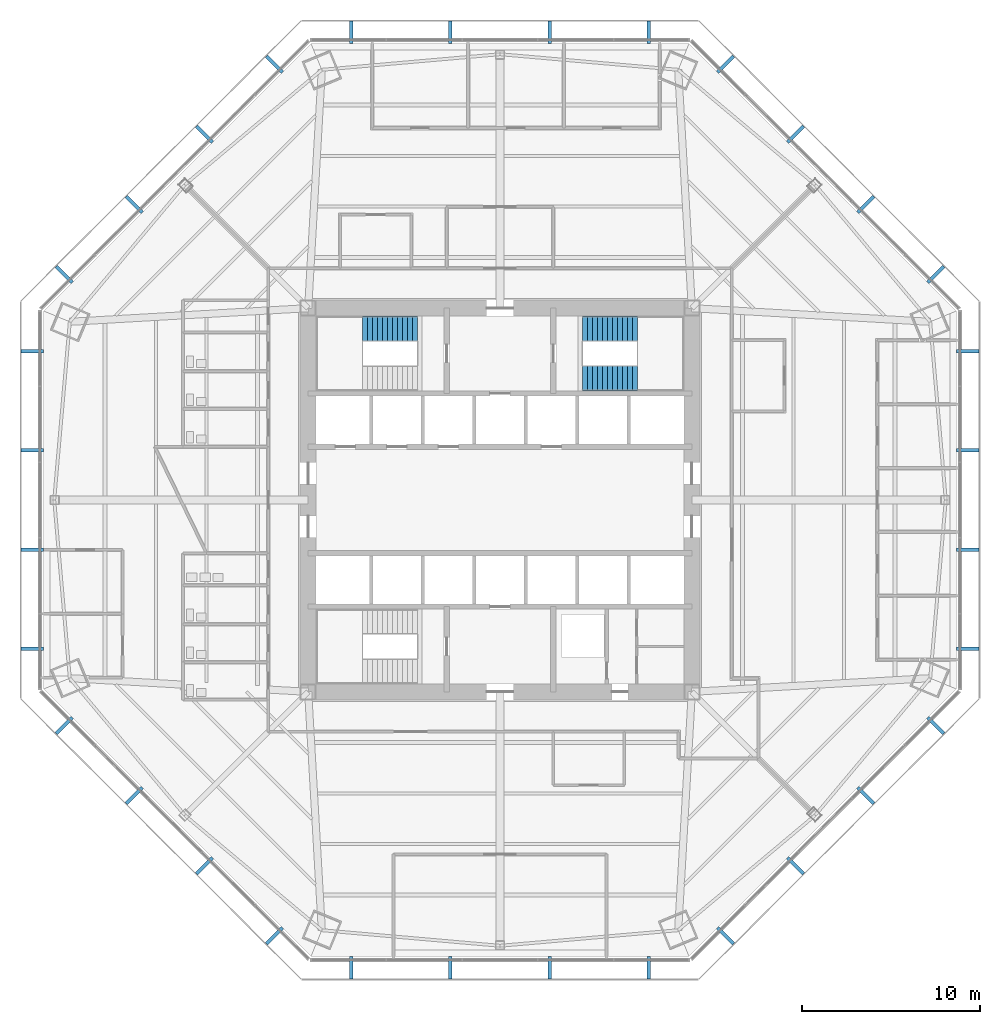
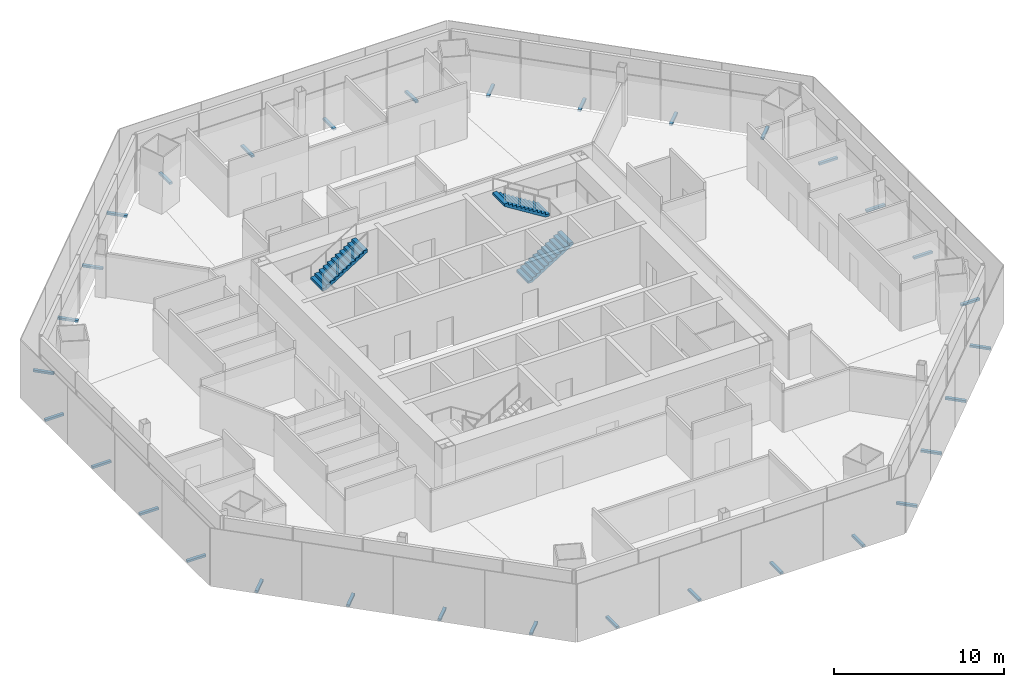
# One storey, part 12 of 15: 32 discrete accessories, 3 stair flights, 2 elements without a shape of their own.
"""IFC4 building model written with IfcOpenShell, lengths in metres."""

import ifcopenshell
import ifcopenshell.guid

model = None  # the IFC model being written
_history = None  # IfcOwnerHistory: only IFC2X3 demands one
_inside = {}  # id of a spatial element -> (the spatial element, [elements in it])
_under = {}  # id of a project, library or spatial element -> (it, [spatial elements below it])
_declared = {}  # id of a project -> (the project, [libraries it declares])
_typed = {}  # id of a type object -> (the type object, [elements of that type])
_made_of = {}  # id of a material, layer set ... -> (it, [elements and type objects made of it])


def new_model(schema):
    """Start an empty IFC model of exactly this schema.

    Asked for "IFC4X3", IfcOpenShell would pick the latest addendum, in which some entities
    have other attributes; the version numbers below select the first issue.
    IFC2X3 requires an IfcOwnerHistory on every rooted entity: one is made here for all.
    """
    global model, _history
    if schema == "IFC4X3":
        model = ifcopenshell.file(schema_version=(4, 3, 0, 0))
    else:
        model = ifcopenshell.file(schema=schema)
    _inside.clear()
    _under.clear()
    _declared.clear()
    _typed.clear()
    _made_of.clear()
    _history = None
    if model.schema == "IFC2X3":
        org = make("IfcOrganization", Name="unknown")
        user = make(
            "IfcPersonAndOrganization",
            ThePerson=make("IfcPerson", FamilyName="unknown"),
            TheOrganization=org,
        )
        app = make(
            "IfcApplication",
            ApplicationDeveloper=org,
            Version="unknown",
            ApplicationFullName="unknown",
            ApplicationIdentifier="unknown",
        )
        _history = make(
            "IfcOwnerHistory",
            OwningUser=user,
            OwningApplication=app,
            ChangeAction="ADDED",
            CreationDate=0,
        )
    return model


def make(cls, **values):
    """One entity of the class cls with the attributes given. An attribute that is None is left unset."""
    return model.create_entity(
        cls, **{name: value for name, value in values.items() if value is not None}
    )


def rooted(cls, **values):
    """An entity with a GlobalId (a new one), such as an element, a storey or a relation."""
    return make(cls, GlobalId=ifcopenshell.guid.new(), OwnerHistory=_history, **values)


def si_unit(unit_type, name, prefix=None):
    """IfcSIUnit, for example si_unit("LENGTHUNIT", "METRE", prefix="MILLI")."""
    return make("IfcSIUnit", UnitType=unit_type, Prefix=prefix, Name=name)


def assignment(units):
    """IfcUnitAssignment: the units of a project."""
    return None if units is None else make("IfcUnitAssignment", Units=units)


def point(xyz):
    """IfcCartesianPoint."""
    return None if xyz is None else make("IfcCartesianPoint", Coordinates=xyz)


def direction(xyz):
    """IfcDirection."""
    return None if xyz is None else make("IfcDirection", DirectionRatios=xyz)


def frame(location, z_axis=None, x_axis=None):
    """IfcAxis2Placement3D, a coordinate frame: its origin and axes. An axis left out is left unset."""
    return make(
        "IfcAxis2Placement3D",
        Location=point(location),
        Axis=direction(z_axis),
        RefDirection=direction(x_axis),
    )


def frame_2d(location, x_axis=None):
    """IfcAxis2Placement2D, a coordinate frame in the plane: its origin and x axis."""
    return make(
        "IfcAxis2Placement2D", Location=point(location), RefDirection=direction(x_axis)
    )


def origin():
    """The frame at (0, 0, 0) with its axes left unset."""
    return frame((0.0, 0.0, 0.0))


def origin_2d():
    """The frame at (0, 0) in the plane with its x axis left unset."""
    return frame_2d((0.0, 0.0))


def place(relative_to, where):
    """IfcLocalPlacement: puts the frame where relative to a parent placement (None: the world)."""
    return make(
        "IfcLocalPlacement", PlacementRelTo=relative_to, RelativePlacement=where
    )


def context(
    kind, dimensions, precision=None, world=None, true_north=None, identifier=None
):
    """IfcGeometricRepresentationContext, for example the 3D "Model" context."""
    return make(
        "IfcGeometricRepresentationContext",
        ContextIdentifier=identifier,
        ContextType=kind,
        CoordinateSpaceDimension=dimensions,
        Precision=precision,
        WorldCoordinateSystem=world,
        TrueNorth=true_north,
    )


def subcontext(parent, identifier, kind, view, scale=None):
    """IfcGeometricRepresentationSubContext, for example "Body" below "Model"."""
    return make(
        "IfcGeometricRepresentationSubContext",
        ContextIdentifier=identifier,
        ContextType=kind,
        ParentContext=parent,
        TargetScale=scale,
        TargetView=view,
    )


def project(units=None, contexts=None):
    """IfcProject with its units and contexts."""
    return rooted(
        "IfcProject",
        Name="project",
        RepresentationContexts=contexts,
        UnitsInContext=assignment(units),
    )


def spatial(cls, under=None, at=None, **own):
    """A site, building, storey or space (cls), placed at a placement, below another one or the project."""
    s = rooted(cls, ObjectPlacement=at, **own)
    if under is not None:
        _under.setdefault(under.id(), (under, []))[1].append(s)
    return s


def polyline(points):
    """IfcPolyline through the points."""
    return make("IfcPolyline", Points=[point(p) for p in points])


def profile(cls, at=None, kind="AREA", **sizes):
    """A parametric profile (cls). Its sizes go by their IFC names, for example OverallWidth=200.0."""
    return make(cls, ProfileType=kind, Position=at, **sizes)


def rectangle(**sizes):
    """IfcRectangleProfileDef."""
    return profile("IfcRectangleProfileDef", **sizes)


def outline(outer, holes=None, kind="AREA"):
    """IfcArbitraryClosedProfileDef: a profile drawn as a closed curve; with holes, ...WithVoids."""
    if holes is None:
        return make("IfcArbitraryClosedProfileDef", ProfileType=kind, OuterCurve=outer)
    return make(
        "IfcArbitraryProfileDefWithVoids",
        ProfileType=kind,
        OuterCurve=outer,
        InnerCurves=holes,
    )


def extrude(swept, where, along, depth):
    """IfcExtrudedAreaSolid: the profile swept, set in the frame where, extruded along a direction by depth."""
    return make(
        "IfcExtrudedAreaSolid",
        SweptArea=swept,
        Position=where,
        ExtrudedDirection=direction(along),
        Depth=depth,
    )


def shape(context_of_items, identifier, shape_type, items):
    """IfcShapeRepresentation: the items that make up one representation, for example the "Body"."""
    return make(
        "IfcShapeRepresentation",
        ContextOfItems=context_of_items,
        RepresentationIdentifier=identifier,
        RepresentationType=shape_type,
        Items=items,
    )


def source(mapping_origin, context_of_items, identifier, shape_type, items):
    """IfcRepresentationMap: a shape defined once, which mapped items show again and again."""
    return make(
        "IfcRepresentationMap",
        MappingOrigin=mapping_origin,
        MappedRepresentation=shape(context_of_items, identifier, shape_type, items),
    )


def transform(
    local_origin,
    x_axis=None,
    y_axis=None,
    z_axis=None,
    scale=None,
    scale2=None,
    scale3=None,
    uniform=True,
):
    """IfcCartesianTransformationOperator3D, or its non-uniform kind. x_axis, y_axis, z_axis: its Axis1, 2, 3."""
    if uniform:
        return make(
            "IfcCartesianTransformationOperator3D",
            Axis1=direction(x_axis),
            Axis2=direction(y_axis),
            LocalOrigin=point(local_origin),
            Scale=scale,
            Axis3=direction(z_axis),
        )
    return make(
        "IfcCartesianTransformationOperator3DnonUniform",
        Axis1=direction(x_axis),
        Axis2=direction(y_axis),
        LocalOrigin=point(local_origin),
        Scale=scale,
        Axis3=direction(z_axis),
        Scale2=scale2,
        Scale3=scale3,
    )


def mapped(mapping_source, mapping_target):
    """IfcMappedItem: shows the shape of a source again, moved by a transform."""
    return make(
        "IfcMappedItem", MappingSource=mapping_source, MappingTarget=mapping_target
    )


def material(Name=None, Category=None):
    """IfcMaterial."""
    return make("IfcMaterial", Name=Name, Category=Category)


def made_of(thing, what):
    """Note that an element or type object is made of a material, layer set ...; save() writes the relation."""
    if what is not None:
        _made_of.setdefault(what.id(), (what, []))[1].append(thing)
    return thing


def type_object(cls, material=None, **own):
    """A type object (cls), such as IfcWallType, which elements share."""
    return made_of(rooted(cls, **own), material)


def type_shapes(of_type, sources):
    """Give a type object the sources (RepresentationMaps) that its elements show as mapped items."""
    of_type.RepresentationMaps = sources


def element(
    cls,
    number,
    at=None,
    inside=None,
    cuts=None,
    type_object=None,
    material=None,
    context=None,
    identifier="Body",
    shape_type=None,
    held_by="IfcProductDefinitionShape",
    body=None,
    shapes=None,
    **own,
):
    """One element of the class cls, such as IfcWall. Its Tag is "e" and its number.

    at: its placement. inside: the storey or other place that contains it. cuts: it is an
    opening in that element (IfcRelVoidsElement). A single representation is given by context,
    identifier, shape_type and body (its items); several are given by shapes. held_by: the class
    of the entity that holds the representations. save() writes the other relations.
    """
    e = rooted(cls, Tag="e%d" % number, ObjectPlacement=at, **own)
    if body is not None:
        shapes = [shape(context, identifier, shape_type, body)]
    if shapes is not None:
        e.Representation = make(held_by, Representations=shapes)
    if inside is not None:
        _inside.setdefault(inside.id(), (inside, []))[1].append(e)
    if cuts is not None:
        rooted(
            "IfcRelVoidsElement", RelatingBuildingElement=cuts, RelatedOpeningElement=e
        )
    if type_object is not None:
        _typed.setdefault(type_object.id(), (type_object, []))[1].append(e)
    return made_of(e, material)


def aggregate(whole, parts):
    """IfcRelAggregates: a whole, such as a stair, and the parts it consists of."""
    return rooted("IfcRelAggregates", RelatingObject=whole, RelatedObjects=parts)


def save(model, path):
    """Write the relations noted so far, then the file.

    IfcRelAggregates (storeys below a building ...), IfcRelContainedInSpatialStructure (elements
    in a storey), IfcRelDefinesByType, IfcRelAssociatesMaterial and IfcRelDeclares: one each for
    every whole, place, type object, material and project.
    """
    for whole, parts in _under.values():
        aggregate(whole, parts)
    for where, things in _inside.values():
        rooted(
            "IfcRelContainedInSpatialStructure",
            RelatedElements=things,
            RelatingStructure=where,
        )
    for kind, things in _typed.values():
        rooted("IfcRelDefinesByType", RelatedObjects=things, RelatingType=kind)
    for what, things in _made_of.values():
        rooted("IfcRelAssociatesMaterial", RelatedObjects=things, RelatingMaterial=what)
    for by, libraries in _declared.values():
        rooted("IfcRelDeclares", RelatingContext=by, RelatedDefinitions=libraries)
    model.write(path)


model = new_model("IFC4")

# Units and contexts
model_context = context("Model", 3, precision=1e-05, world=origin(), true_north=direction((0.0, 1.0)))
body_context = subcontext(model_context, "Body", "Model", "MODEL_VIEW")
ifc_project = project(units=[si_unit("LENGTHUNIT", "METRE"), si_unit("AREAUNIT", "SQUARE_METRE"), si_unit("VOLUMEUNIT", "CUBIC_METRE"), si_unit("PLANEANGLEUNIT", "RADIAN"), si_unit("MASSUNIT", "GRAM", prefix="KILO")], contexts=[model_context])

# Site, building, storey
site_placement = place(None, origin())
site = spatial("IfcSite", under=ifc_project, at=site_placement, CompositionType="ELEMENT")
building_placement = place(site_placement, origin())
building = spatial("IfcBuilding", under=site, at=building_placement, Name="Mashrafa Tower", CompositionType="ELEMENT")
storey_placement = place(building_placement, frame((0.0, 0.0, 75.0)))
storey = spatial("IfcBuildingStorey", under=building, at=storey_placement, Name="L16", CompositionType="ELEMENT", Elevation=75.0)

# Stair, stair flight
ifc_material_1 = material(Name="Exit stair 1400")
stair_type = type_object("IfcStairType", Name="Exit stair 1400", PredefinedType="HALF_TURN_STAIR", material=ifc_material_1)
stair_1_placement = place(storey_placement, origin())
stair_1 = element("IfcStair", 1, at=stair_1_placement, inside=storey, type_object=stair_type, Name="Stair S1 L16", PredefinedType="HALF_TURN_STAIR")
ifc_material_2 = material(Name="Concrete C32/40", Category="concrete")
stair_flight_type = type_object("IfcStairFlightType", Name="Stair flight 1400", PredefinedType="STRAIGHT", material=ifc_material_2)
stair_flight_1_placement = place(storey_placement, frame((-7.72998046875, 9.64990234375, 2.10009765625), z_axis=(0.0, 0.0, 1.0), x_axis=(1.0, 0.0, 0.0)))
stair_flight_1 = element("IfcStairFlight", 2, at=stair_flight_1_placement, type_object=stair_flight_type, Name="S1 flight 2", NumberOfRisers=12, NumberOfTreads=11, PredefinedType="STRAIGHT", RiserHeight=0.175, TreadLength=0.28, context=body_context, shape_type="SweptSolid", body=[
    extrude(outline(polyline([(0.0, 0.0), (0.0, 0.175048828125), (0.280029296875, 0.175048828125), (0.280029296875, 0.35009765625), (0.56005859375, 0.35009765625), (0.56005859375, 0.52490234375), (0.840087890625, 0.52490234375), (0.840087890625, 0.699951171875), (1.1201171875, 0.699951171875), (1.1201171875, 0.875), (1.39990234375, 0.875), (1.39990234375, 1.050048828125), (1.679931640625, 1.050048828125), (1.679931640625, 1.22509765625), (1.9599609375, 1.22509765625), (1.9599609375, 1.39990234375), (2.239990234375, 1.39990234375), (2.239990234375, 1.574951171875), (2.52001953125, 1.574951171875), (2.52001953125, 1.75), (2.800048828125, 1.75), (2.800048828125, 1.925048828125), (3.080078125, 1.925048828125), (3.080078125, 2.10009765625), (3.080078125, 1.748291015625), (0.28271484375, 0.0), (0.0, 0.0)])), frame((0.0, 0.699951171875, 0.0), z_axis=(0.0, -1.0, 0.0), x_axis=(1.0, 0.0, 0.0)), (0.0, 0.0, 1.0), 1.39990234375),
])
aggregate(stair_1, [stair_flight_1])

# Stair, stair flights
stair_2_placement = place(storey_placement, origin())
stair_2 = element("IfcStair", 3, at=stair_2_placement, inside=storey, type_object=stair_type, Name="Stair S2 L16", PredefinedType="HALF_TURN_STAIR")
stair_flight_2_placement = place(storey_placement, frame((4.64990234375, 6.85009765625, 0.0), z_axis=(0.0, 0.0, 1.0), x_axis=(1.0, 0.0, 0.0)))
stair_flight_2 = element("IfcStairFlight", 4, at=stair_flight_2_placement, type_object=stair_flight_type, Name="S2 flight 1", NumberOfRisers=12, NumberOfTreads=11, PredefinedType="STRAIGHT", RiserHeight=0.175, TreadLength=0.28, context=body_context, shape_type="SweptSolid", body=[
    extrude(outline(polyline([(0.0, 0.0), (0.0, 0.175048828125), (0.280029296875, 0.175048828125), (0.280029296875, 0.35009765625), (0.56005859375, 0.35009765625), (0.56005859375, 0.52490234375), (0.840087890625, 0.52490234375), (0.840087890625, 0.699951171875), (1.1201171875, 0.699951171875), (1.1201171875, 0.875), (1.39990234375, 0.875), (1.39990234375, 1.050048828125), (1.679931640625, 1.050048828125), (1.679931640625, 1.22509765625), (1.9599609375, 1.22509765625), (1.9599609375, 1.39990234375), (2.239990234375, 1.39990234375), (2.239990234375, 1.574951171875), (2.52001953125, 1.574951171875), (2.52001953125, 1.75), (2.800048828125, 1.75), (2.800048828125, 1.925048828125), (3.080078125, 1.925048828125), (3.080078125, 2.10009765625), (3.080078125, 1.748291015625), (0.28271484375, 0.0), (0.0, 0.0)])), frame((0.0, 0.699951171875, 0.0), z_axis=(0.0, -1.0, 0.0), x_axis=(1.0, 0.0, 0.0)), (0.0, 0.0, 1.0), 1.39990234375),
])
stair_flight_3_placement = place(storey_placement, frame((7.72998046875, 9.64990234375, 2.10009765625), z_axis=(0.0, 0.0, 1.0), x_axis=(-1.0, 0.0, 0.0)))
stair_flight_3 = element("IfcStairFlight", 5, at=stair_flight_3_placement, type_object=stair_flight_type, Name="S2 flight 2", NumberOfRisers=12, NumberOfTreads=11, PredefinedType="STRAIGHT", RiserHeight=0.175, TreadLength=0.28, context=body_context, shape_type="SweptSolid", body=[
    extrude(outline(polyline([(0.0, 0.0), (0.0, 0.175048828125), (0.280029296875, 0.175048828125), (0.280029296875, 0.35009765625), (0.56005859375, 0.35009765625), (0.56005859375, 0.52490234375), (0.840087890625, 0.52490234375), (0.840087890625, 0.699951171875), (1.1201171875, 0.699951171875), (1.1201171875, 0.875), (1.39990234375, 0.875), (1.39990234375, 1.050048828125), (1.679931640625, 1.050048828125), (1.679931640625, 1.22509765625), (1.9599609375, 1.22509765625), (1.9599609375, 1.39990234375), (2.239990234375, 1.39990234375), (2.239990234375, 1.574951171875), (2.52001953125, 1.574951171875), (2.52001953125, 1.75), (2.800048828125, 1.75), (2.800048828125, 1.925048828125), (3.080078125, 1.925048828125), (3.080078125, 2.10009765625), (3.080078125, 1.748291015625), (0.28271484375, 0.0), (0.0, 0.0)])), frame((0.0, 0.699951171875, 0.0), z_axis=(0.0, -1.0, 0.0), x_axis=(1.0, 0.0, 0.0)), (0.0, 0.0, 1.0), 1.39990234375),
])
aggregate(stair_2, [stair_flight_2, stair_flight_3])

# Discrete accessories
ifc_material_3 = material(Name="Stainless steel screen bracket", Category="steel")
discrete_accessory_type = type_object("IfcDiscreteAccessoryType", Name="Screen support bracket 200 x 150", PredefinedType="BRACKET", material=ifc_material_3)
shared_shape = source(origin(), body_context, "Body", "SweptSolid", [
    extrude(rectangle(XDim=0.199951171875, YDim=1.27001953125, at=origin_2d()), origin(), (0.0, 0.0, 1.0), 0.14990234375),
])
type_shapes(discrete_accessory_type, [shared_shape])
for number, where, z_axis, x_axis, name in (
    (6, (26.328125, -8.368896484375, -0.14990234375), (0.0, 0.0, 1.0), (0.0, 1.0, 0.0), "Screen support bracket L16 east 1"),
    (7, (26.328125, -2.78955078125, -0.14990234375), (0.0, 0.0, 1.0), (0.0, 1.0, 0.0), "Screen support bracket L16 east 2"),
    (8, (26.328125, 2.78955078125, -0.14990234375), (0.0, 0.0, 1.0), (0.0, 1.0, 0.0), "Screen support bracket L16 east 3"),
    (9, (26.328125, 8.368896484375, -0.14990234375), (0.0, 0.0, 1.0), (0.0, 1.0, 0.0), "Screen support bracket L16 east 4"),
    (10, (24.534423828125, 12.698974609375, -0.14990234375), (0.0, 0.0, 1.0), (-0.707106781187, 0.707106781187, 0.0), "Screen support bracket L16 north-east 1"),
    (11, (20.58935546875, 16.644287109375, -0.14990234375), (0.0, 0.0, 1.0), (-0.707106781187, 0.707106781187, 0.0), "Screen support bracket L16 north-east 2"),
    (12, (16.644287109375, 20.58935546875, -0.14990234375), (0.0, 0.0, 1.0), (-0.707106781187, 0.707106781187, 0.0), "Screen support bracket L16 north-east 3"),
    (13, (12.698974609375, 24.534423828125, -0.14990234375), (0.0, 0.0, 1.0), (-0.707106781187, 0.707106781187, 0.0), "Screen support bracket L16 north-east 4"),
    (14, (8.368896484375, 26.328125, -0.14990234375), (0.0, 0.0, 1.0), (-1.0, 0.0, 0.0), "Screen support bracket L16 north 1"),
    (15, (2.78955078125, 26.328125, -0.14990234375), (0.0, 0.0, 1.0), (-1.0, 0.0, 0.0), "Screen support bracket L16 north 2"),
    (16, (-2.78955078125, 26.328125, -0.14990234375), (0.0, 0.0, 1.0), (-1.0, 0.0, 0.0), "Screen support bracket L16 north 3"),
    (17, (-8.368896484375, 26.328125, -0.14990234375), (0.0, 0.0, 1.0), (-1.0, 0.0, 0.0), "Screen support bracket L16 north 4"),
    (18, (-12.698974609375, 24.534423828125, -0.14990234375), (0.0, 0.0, 1.0), (-0.707106781187, -0.707106781187, 0.0), "Screen support bracket L16 north-west 1"),
    (19, (-16.644287109375, 20.58935546875, -0.14990234375), (0.0, 0.0, 1.0), (-0.707106781187, -0.707106781187, 0.0), "Screen support bracket L16 north-west 2"),
    (20, (-20.58935546875, 16.644287109375, -0.14990234375), (0.0, 0.0, 1.0), (-0.707106781187, -0.707106781187, 0.0), "Screen support bracket L16 north-west 3"),
    (21, (-24.534423828125, 12.698974609375, -0.14990234375), (0.0, 0.0, 1.0), (-0.707106781187, -0.707106781187, 0.0), "Screen support bracket L16 north-west 4"),
    (22, (-26.328125, 8.368896484375, -0.14990234375), (0.0, 0.0, 1.0), (0.0, -1.0, 0.0), "Screen support bracket L16 west 1"),
    (23, (-26.328125, 2.78955078125, -0.14990234375), (0.0, 0.0, 1.0), (0.0, -1.0, 0.0), "Screen support bracket L16 west 2"),
    (24, (-26.328125, -2.78955078125, -0.14990234375), (0.0, 0.0, 1.0), (0.0, -1.0, 0.0), "Screen support bracket L16 west 3"),
    (25, (-26.328125, -8.368896484375, -0.14990234375), (0.0, 0.0, 1.0), (0.0, -1.0, 0.0), "Screen support bracket L16 west 4"),
    (26, (-24.534423828125, -12.698974609375, -0.14990234375), (0.0, 0.0, 1.0), (0.707106781187, -0.707106781187, 0.0), "Screen support bracket L16 south-west 1"),
    (27, (-20.58935546875, -16.644287109375, -0.14990234375), (0.0, 0.0, 1.0), (0.707106781187, -0.707106781187, 0.0), "Screen support bracket L16 south-west 2"),
    (28, (-16.644287109375, -20.58935546875, -0.14990234375), (0.0, 0.0, 1.0), (0.707106781187, -0.707106781187, 0.0), "Screen support bracket L16 south-west 3"),
    (29, (-12.698974609375, -24.534423828125, -0.14990234375), (0.0, 0.0, 1.0), (0.707106781187, -0.707106781187, 0.0), "Screen support bracket L16 south-west 4"),
    (30, (-8.368896484375, -26.328125, -0.14990234375), (0.0, 0.0, 1.0), (1.0, 0.0, 0.0), "Screen support bracket L16 south 1"),
    (31, (-2.78955078125, -26.328125, -0.14990234375), (0.0, 0.0, 1.0), (1.0, 0.0, 0.0), "Screen support bracket L16 south 2"),
    (32, (2.78955078125, -26.328125, -0.14990234375), (0.0, 0.0, 1.0), (1.0, 0.0, 0.0), "Screen support bracket L16 south 3"),
    (33, (8.368896484375, -26.328125, -0.14990234375), (0.0, 0.0, 1.0), (1.0, 0.0, 0.0), "Screen support bracket L16 south 4"),
    (34, (12.698974609375, -24.534423828125, -0.14990234375), (0.0, 0.0, 1.0), (0.707106781187, 0.707106781187, 0.0), "Screen support bracket L16 south-east 1"),
    (35, (16.644287109375, -20.58935546875, -0.14990234375), (0.0, 0.0, 1.0), (0.707106781187, 0.707106781187, 0.0), "Screen support bracket L16 south-east 2"),
    (36, (20.58935546875, -16.644287109375, -0.14990234375), (0.0, 0.0, 1.0), (0.707106781187, 0.707106781187, 0.0), "Screen support bracket L16 south-east 3"),
    (37, (24.534423828125, -12.698974609375, -0.14990234375), (0.0, 0.0, 1.0), (0.707106781187, 0.707106781187, 0.0), "Screen support bracket L16 south-east 4"),
):
    element("IfcDiscreteAccessory", number, at=place(storey_placement, frame(where, z_axis=z_axis, x_axis=x_axis)), inside=storey, type_object=discrete_accessory_type, Name=name, PredefinedType="BRACKET", context=body_context, shape_type="MappedRepresentation", body=[
        mapped(shared_shape, transform((0.0, 0.0, 0.0))),
    ])

save(model, "model.ifc")
